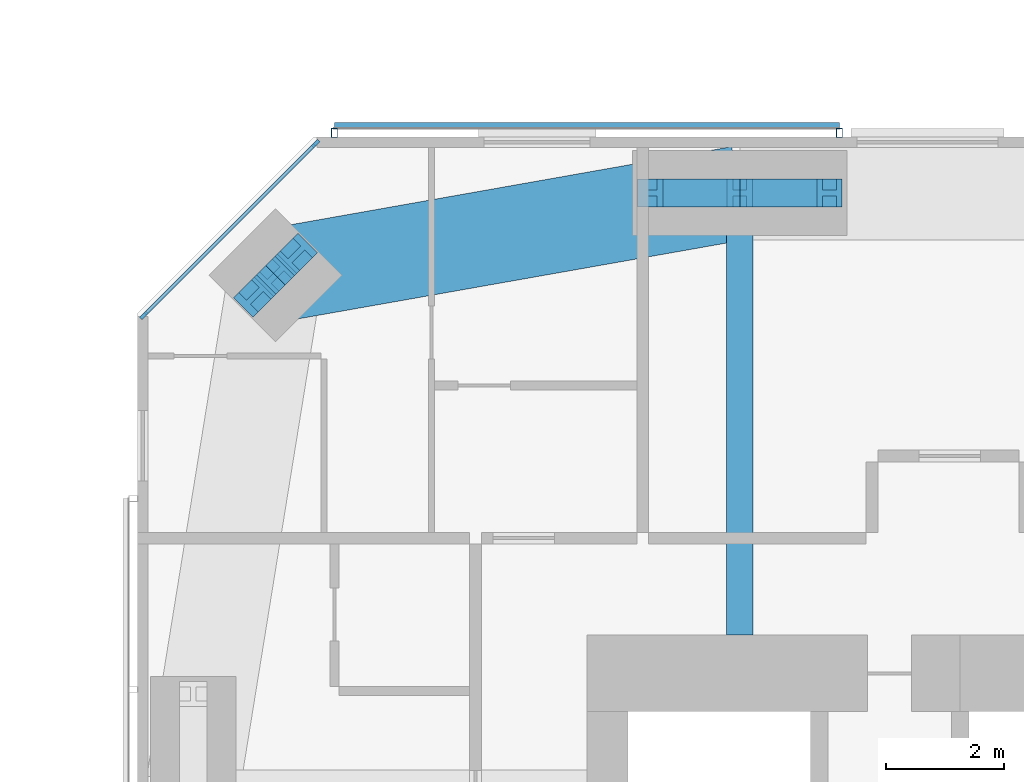
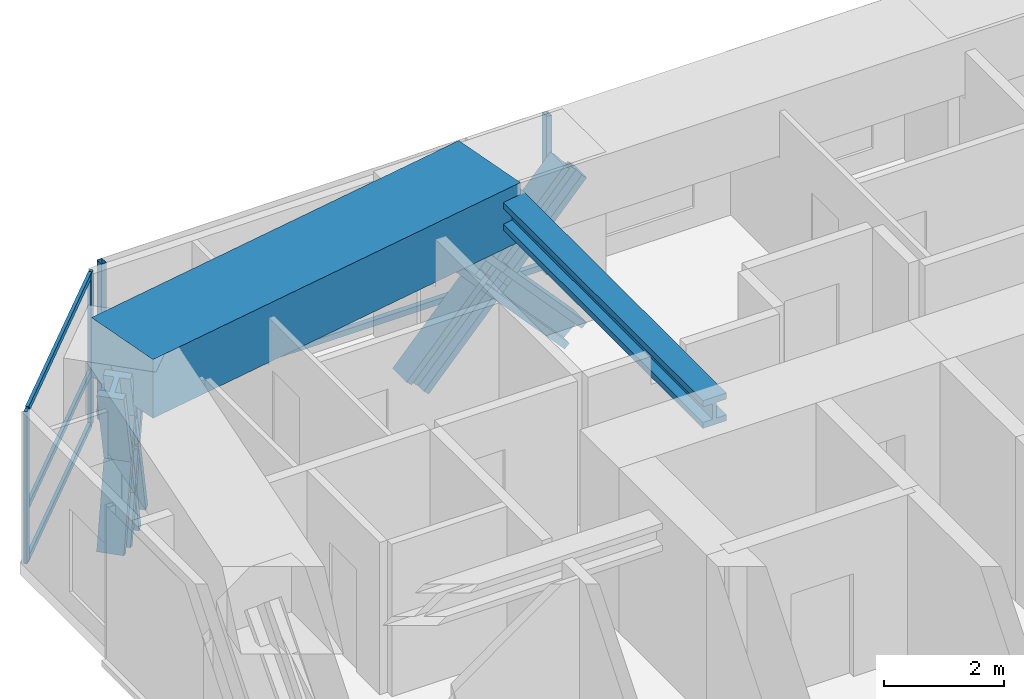
# One storey, part 11 of 23: 16 members, 2 beams, 2 elements without a shape of their own.
"""IFC4 building model written with IfcOpenShell, lengths in metres."""

import ifcopenshell
import ifcopenshell.guid

model = None  # the IFC model being written
_history = None  # IfcOwnerHistory: only IFC2X3 demands one
_inside = {}  # id of a spatial element -> (the spatial element, [elements in it])
_under = {}  # id of a project, library or spatial element -> (it, [spatial elements below it])
_declared = {}  # id of a project -> (the project, [libraries it declares])
_typed = {}  # id of a type object -> (the type object, [elements of that type])
_made_of = {}  # id of a material, layer set ... -> (it, [elements and type objects made of it])


def new_model(schema):
    """Start an empty IFC model of exactly this schema.

    Asked for "IFC4X3", IfcOpenShell would pick the latest addendum, in which some entities
    have other attributes; the version numbers below select the first issue.
    IFC2X3 requires an IfcOwnerHistory on every rooted entity: one is made here for all.
    """
    global model, _history
    if schema == "IFC4X3":
        model = ifcopenshell.file(schema_version=(4, 3, 0, 0))
    else:
        model = ifcopenshell.file(schema=schema)
    _inside.clear()
    _under.clear()
    _declared.clear()
    _typed.clear()
    _made_of.clear()
    _history = None
    if model.schema == "IFC2X3":
        org = make("IfcOrganization", Name="unknown")
        user = make(
            "IfcPersonAndOrganization",
            ThePerson=make("IfcPerson", FamilyName="unknown"),
            TheOrganization=org,
        )
        app = make(
            "IfcApplication",
            ApplicationDeveloper=org,
            Version="unknown",
            ApplicationFullName="unknown",
            ApplicationIdentifier="unknown",
        )
        _history = make(
            "IfcOwnerHistory",
            OwningUser=user,
            OwningApplication=app,
            ChangeAction="ADDED",
            CreationDate=0,
        )
    return model


def make(cls, **values):
    """One entity of the class cls with the attributes given. An attribute that is None is left unset."""
    return model.create_entity(
        cls, **{name: value for name, value in values.items() if value is not None}
    )


def rooted(cls, **values):
    """An entity with a GlobalId (a new one), such as an element, a storey or a relation."""
    return make(cls, GlobalId=ifcopenshell.guid.new(), OwnerHistory=_history, **values)


def si_unit(unit_type, name, prefix=None):
    """IfcSIUnit, for example si_unit("LENGTHUNIT", "METRE", prefix="MILLI")."""
    return make("IfcSIUnit", UnitType=unit_type, Prefix=prefix, Name=name)


def assignment(units):
    """IfcUnitAssignment: the units of a project."""
    return None if units is None else make("IfcUnitAssignment", Units=units)


def point(xyz):
    """IfcCartesianPoint."""
    return None if xyz is None else make("IfcCartesianPoint", Coordinates=xyz)


def direction(xyz):
    """IfcDirection."""
    return None if xyz is None else make("IfcDirection", DirectionRatios=xyz)


def frame(location, z_axis=None, x_axis=None):
    """IfcAxis2Placement3D, a coordinate frame: its origin and axes. An axis left out is left unset."""
    return make(
        "IfcAxis2Placement3D",
        Location=point(location),
        Axis=direction(z_axis),
        RefDirection=direction(x_axis),
    )


def frame_2d(location, x_axis=None):
    """IfcAxis2Placement2D, a coordinate frame in the plane: its origin and x axis."""
    return make(
        "IfcAxis2Placement2D", Location=point(location), RefDirection=direction(x_axis)
    )


def origin():
    """The frame at (0, 0, 0) with its axes left unset."""
    return frame((0.0, 0.0, 0.0))


def origin_2d():
    """The frame at (0, 0) in the plane with its x axis left unset."""
    return frame_2d((0.0, 0.0))


def place(relative_to, where):
    """IfcLocalPlacement: puts the frame where relative to a parent placement (None: the world)."""
    return make(
        "IfcLocalPlacement", PlacementRelTo=relative_to, RelativePlacement=where
    )


def context(
    kind, dimensions, precision=None, world=None, true_north=None, identifier=None
):
    """IfcGeometricRepresentationContext, for example the 3D "Model" context."""
    return make(
        "IfcGeometricRepresentationContext",
        ContextIdentifier=identifier,
        ContextType=kind,
        CoordinateSpaceDimension=dimensions,
        Precision=precision,
        WorldCoordinateSystem=world,
        TrueNorth=true_north,
    )


def subcontext(parent, identifier, kind, view, scale=None):
    """IfcGeometricRepresentationSubContext, for example "Body" below "Model"."""
    return make(
        "IfcGeometricRepresentationSubContext",
        ContextIdentifier=identifier,
        ContextType=kind,
        ParentContext=parent,
        TargetScale=scale,
        TargetView=view,
    )


def project(units=None, contexts=None):
    """IfcProject with its units and contexts."""
    return rooted(
        "IfcProject",
        Name="project",
        RepresentationContexts=contexts,
        UnitsInContext=assignment(units),
    )


def spatial(cls, under=None, at=None, **own):
    """A site, building, storey or space (cls), placed at a placement, below another one or the project."""
    s = rooted(cls, ObjectPlacement=at, **own)
    if under is not None:
        _under.setdefault(under.id(), (under, []))[1].append(s)
    return s


def profile(cls, at=None, kind="AREA", **sizes):
    """A parametric profile (cls). Its sizes go by their IFC names, for example OverallWidth=200.0."""
    return make(cls, ProfileType=kind, Position=at, **sizes)


def rectangle(**sizes):
    """IfcRectangleProfileDef."""
    return profile("IfcRectangleProfileDef", **sizes)


def hollow_rectangle(**sizes):
    """IfcRectangleHollowProfileDef."""
    return profile("IfcRectangleHollowProfileDef", **sizes)


def i_section(**sizes):
    """IfcIShapeProfileDef."""
    return profile("IfcIShapeProfileDef", **sizes)


def extrude(swept, where, along, depth):
    """IfcExtrudedAreaSolid: the profile swept, set in the frame where, extruded along a direction by depth."""
    return make(
        "IfcExtrudedAreaSolid",
        SweptArea=swept,
        Position=where,
        ExtrudedDirection=direction(along),
        Depth=depth,
    )


def shape(context_of_items, identifier, shape_type, items):
    """IfcShapeRepresentation: the items that make up one representation, for example the "Body"."""
    return make(
        "IfcShapeRepresentation",
        ContextOfItems=context_of_items,
        RepresentationIdentifier=identifier,
        RepresentationType=shape_type,
        Items=items,
    )


def material(Name=None, Category=None):
    """IfcMaterial."""
    return make("IfcMaterial", Name=Name, Category=Category)


def material_profile(
    of_material, cross_section, Name=None, Category=None, Priority=None
):
    """IfcMaterialProfile: a cross section and its material."""
    return make(
        "IfcMaterialProfile",
        Name=Name,
        Material=of_material,
        Profile=cross_section,
        Priority=Priority,
        Category=Category,
    )


def profile_set(profiles, Name=None, composite=None):
    """IfcMaterialProfileSet."""
    return make(
        "IfcMaterialProfileSet",
        Name=Name,
        MaterialProfiles=profiles,
        CompositeProfile=composite,
    )


def made_of(thing, what):
    """Note that an element or type object is made of a material, layer set ...; save() writes the relation."""
    if what is not None:
        _made_of.setdefault(what.id(), (what, []))[1].append(thing)
    return thing


def type_object(cls, material=None, **own):
    """A type object (cls), such as IfcWallType, which elements share."""
    return made_of(rooted(cls, **own), material)


def element(
    cls,
    number,
    at=None,
    inside=None,
    cuts=None,
    type_object=None,
    material=None,
    context=None,
    identifier="Body",
    shape_type=None,
    held_by="IfcProductDefinitionShape",
    body=None,
    shapes=None,
    **own,
):
    """One element of the class cls, such as IfcWall. Its Tag is "e" and its number.

    at: its placement. inside: the storey or other place that contains it. cuts: it is an
    opening in that element (IfcRelVoidsElement). A single representation is given by context,
    identifier, shape_type and body (its items); several are given by shapes. held_by: the class
    of the entity that holds the representations. save() writes the other relations.
    """
    e = rooted(cls, Tag="e%d" % number, ObjectPlacement=at, **own)
    if body is not None:
        shapes = [shape(context, identifier, shape_type, body)]
    if shapes is not None:
        e.Representation = make(held_by, Representations=shapes)
    if inside is not None:
        _inside.setdefault(inside.id(), (inside, []))[1].append(e)
    if cuts is not None:
        rooted(
            "IfcRelVoidsElement", RelatingBuildingElement=cuts, RelatedOpeningElement=e
        )
    if type_object is not None:
        _typed.setdefault(type_object.id(), (type_object, []))[1].append(e)
    return made_of(e, material)


def aggregate(whole, parts):
    """IfcRelAggregates: a whole, such as a stair, and the parts it consists of."""
    return rooted("IfcRelAggregates", RelatingObject=whole, RelatedObjects=parts)


def save(model, path):
    """Write the relations noted so far, then the file.

    IfcRelAggregates (storeys below a building ...), IfcRelContainedInSpatialStructure (elements
    in a storey), IfcRelDefinesByType, IfcRelAssociatesMaterial and IfcRelDeclares: one each for
    every whole, place, type object, material and project.
    """
    for whole, parts in _under.values():
        aggregate(whole, parts)
    for where, things in _inside.values():
        rooted(
            "IfcRelContainedInSpatialStructure",
            RelatedElements=things,
            RelatingStructure=where,
        )
    for kind, things in _typed.values():
        rooted("IfcRelDefinesByType", RelatedObjects=things, RelatingType=kind)
    for what, things in _made_of.values():
        rooted("IfcRelAssociatesMaterial", RelatedObjects=things, RelatingMaterial=what)
    for by, libraries in _declared.values():
        rooted("IfcRelDeclares", RelatingContext=by, RelatedDefinitions=libraries)
    model.write(path)


model = new_model("IFC4")

# Units and contexts
model_context = context("Model", 3, precision=1e-05, world=origin(), true_north=direction((0.0, 1.0)))
body_context = subcontext(model_context, "Body", "Model", "MODEL_VIEW")
ifc_project = project(units=[si_unit("LENGTHUNIT", "METRE"), si_unit("AREAUNIT", "SQUARE_METRE"), si_unit("VOLUMEUNIT", "CUBIC_METRE"), si_unit("PLANEANGLEUNIT", "RADIAN"), si_unit("MASSUNIT", "GRAM", prefix="KILO")], contexts=[model_context])

# Site, building, storey
site_placement = place(None, origin())
site = spatial("IfcSite", under=ifc_project, at=site_placement, CompositionType="ELEMENT")
building_placement = place(site_placement, origin())
building = spatial("IfcBuilding", under=site, at=building_placement, Name="Jalousie Tower", CompositionType="ELEMENT")
storey_placement = place(building_placement, frame((0.0, 0.0, 191.199951171875)))
storey = spatial("IfcBuildingStorey", under=building, at=storey_placement, Name="L52", CompositionType="ELEMENT", Elevation=191.199951171875)

# Curtain wall, members
ifc_material_1 = material(Name="Aluminium curtain wall", Category="aluminium")
curtain_wall_type_1 = type_object("IfcCurtainWallType", Name="CORNER WINDOW WALL", PredefinedType="USERDEFINED", material=ifc_material_1)
curtain_wall_1_placement = place(storey_placement, origin())
curtain_wall_1 = element("IfcCurtainWall", 1, at=curtain_wall_1_placement, inside=storey, type_object=curtain_wall_type_1, Name="Corner Window Wall L52 6", ObjectType="CORNER WINDOW WALL", PredefinedType="USERDEFINED")
ifc_material_2 = material(Name="Aluminium mullion", Category="aluminium")
ifc_material_profile_1 = material_profile(ifc_material_2, rectangle(XDim=0.06005859375, YDim=0.14990234375, at=origin_2d()), Name="MULLION 60x150")
ifc_profile_set_1 = profile_set([ifc_material_profile_1], Name="Aluminium mullion")
member_type_1 = type_object("IfcMemberType", Name="CORNER WINDOW WALL MULLION", PredefinedType="MULLION", material=ifc_profile_set_1)
member_1_placement = place(storey_placement, frame((15.030029296875, 35.891357421875, 0.0), z_axis=(0.0, 0.0, 1.0), x_axis=(0.707106781187, -0.707106781187, 0.0)))
member_1 = element("IfcMember", 2, at=member_1_placement, type_object=member_type_1, Name="CW-C mullion 1", PredefinedType="MULLION", context=body_context, shape_type="SweptSolid", body=[
    extrude(rectangle(XDim=0.06005859375, YDim=0.14990234375, at=origin_2d()), origin(), (0.0, 0.0, 1.0), 3.110107421875),
])
member_2_placement = place(storey_placement, frame((12.108642578125, 32.969970703125, 0.0), z_axis=(0.0, 0.0, 1.0), x_axis=(0.707106781187, -0.707106781187, 0.0)))
member_2 = element("IfcMember", 3, at=member_2_placement, type_object=member_type_1, Name="CW-C mullion 2", PredefinedType="MULLION", context=body_context, shape_type="SweptSolid", body=[
    extrude(rectangle(XDim=0.06005859375, YDim=0.14990234375, at=origin_2d()), origin(), (0.0, 0.0, 1.0), 3.110107421875),
])
ifc_material_3 = material(Name="Aluminium transom", Category="aluminium")
ifc_material_profile_2 = material_profile(ifc_material_3, rectangle(XDim=0.06005859375, YDim=0.1201171875, at=origin_2d()), Name="TRANSOM 60x120")
ifc_profile_set_2 = profile_set([ifc_material_profile_2], Name="Aluminium transom")
member_type_2 = type_object("IfcMemberType", Name="CORNER WINDOW WALL TRANSOM", PredefinedType="USERDEFINED", material=ifc_profile_set_2)
member_3_placement = place(storey_placement, frame((15.0087890625, 35.8701171875, 0.030029296875), z_axis=(-0.707106781187, -0.707106781187, 0.0), x_axis=(0.707106781187, -0.707106781187, 0.0)))
member_3 = element("IfcMember", 4, at=member_3_placement, type_object=member_type_2, Name="CW-C transom 1.1", ObjectType="TRANSOM", PredefinedType="USERDEFINED", context=body_context, shape_type="SweptSolid", body=[
    extrude(rectangle(XDim=0.06005859375, YDim=0.1201171875, at=origin_2d()), origin(), (0.0, 0.0, 1.0), 4.0712890625),
])
member_4_placement = place(storey_placement, frame((15.0087890625, 35.8701171875, 1.10009765625), z_axis=(-0.707106781187, -0.707106781187, 0.0), x_axis=(0.707106781187, -0.707106781187, 0.0)))
member_4 = element("IfcMember", 5, at=member_4_placement, type_object=member_type_2, Name="CW-C transom 1.2", ObjectType="TRANSOM", PredefinedType="USERDEFINED", context=body_context, shape_type="SweptSolid", body=[
    extrude(rectangle(XDim=0.06005859375, YDim=0.1201171875, at=origin_2d()), origin(), (0.0, 0.0, 1.0), 4.0712890625),
])
member_5_placement = place(storey_placement, frame((15.0087890625, 35.8701171875, 3.080078125), z_axis=(-0.707106781187, -0.707106781187, 0.0), x_axis=(0.707106781187, -0.707106781187, 0.0)))
member_5 = element("IfcMember", 6, at=member_5_placement, type_object=member_type_2, Name="CW-C transom 1.3", ObjectType="TRANSOM", PredefinedType="USERDEFINED", context=body_context, shape_type="SweptSolid", body=[
    extrude(rectangle(XDim=0.06005859375, YDim=0.1201171875, at=origin_2d()), origin(), (0.0, 0.0, 1.0), 4.0712890625),
])
aggregate(curtain_wall_1, [member_1, member_2, member_3, member_4, member_5])

# Beam
ifc_material_4 = material(Name="Steel ASTM A992 Grade 50", Category="steel")
ifc_material_profile_3 = material_profile(ifc_material_4, i_section(OverallWidth=0.45458984375, OverallDepth=0.569091796875, WebThickness=0.077880859375, FlangeThickness=0.124755859375, at=origin_2d()), Name="W14X730")
ifc_profile_set_3 = profile_set([ifc_material_profile_3], Name="Steel ASTM A992 Grade 50")
beam_type_1 = type_object("IfcBeamType", Name="LEAN COLLECTOR W14X730", PredefinedType="BEAM", material=ifc_profile_set_3)
beam_1_placement = place(storey_placement, frame((22.25, 35.050048828125, 2.825439453125), z_axis=(0.0, -1.0, 0.0), x_axis=(1.0, 0.0, 0.0)))
element("IfcBeam", 7, at=beam_1_placement, inside=storey, type_object=beam_type_1, Name="Lean collector under L53", PredefinedType="BEAM", context=body_context, shape_type="SweptSolid", body=[
    extrude(i_section(OverallWidth=0.45458984375, OverallDepth=0.569091796875, WebThickness=0.077880859375, FlangeThickness=0.124755859375, at=origin_2d()), origin(), (0.0, 0.0, 1.0), 7.525146484375),
])

# Members
ifc_material_5 = material(Name="Steel ASTM A992 Grade 50", Category="steel")
ifc_material_profile_4 = material_profile(ifc_material_5, i_section(OverallWidth=0.472412109375, OverallDepth=0.5791015625, WebThickness=0.094970703125, FlangeThickness=0.1298828125, at=origin_2d()), Name="W14X808")
ifc_profile_set_4 = profile_set([ifc_material_profile_4], Name="Steel ASTM A992 Grade 50")
member_type_3 = type_object("IfcMemberType", Name="PERIMETER BRACE W14X808", PredefinedType="BRACE", material=ifc_profile_set_4)
for number, where, z_axis, x_axis, name in (
    (8, (20.72509765625, 35.050048828125, -0.599853515625), (0.673241284601, 0.0, 0.739422864611), (0.0, 1.0, 0.0), "Perimeter brace 11 L52 part 1"),
    (9, (22.25, 35.050048828125, 1.074951171875), (0.673187629365, 0.0, 0.739471713908), (0.0, 1.0, 0.0), "Perimeter brace 11 L52 part 2"),
    (10, (23.77490234375, 35.050048828125, -0.599853515625), (-0.673241284601, 0.0, 0.739422864611), (0.0, -1.0, 0.0), "Perimeter brace 11 L52 part 3"),
    (11, (22.25, 35.050048828125, 1.074951171875), (-0.673187629365, 0.0, 0.739471713908), (0.0, -1.0, 0.0), "Perimeter brace 11 L52 part 4"),
):
    element("IfcMember", number, at=place(storey_placement, frame(where, z_axis=z_axis, x_axis=x_axis)), inside=storey, type_object=member_type_3, Name=name, PredefinedType="BRACE", context=body_context, shape_type="SweptSolid", body=[
        extrude(i_section(OverallWidth=0.472412109375, OverallDepth=0.5791015625, WebThickness=0.094970703125, FlangeThickness=0.1298828125, at=origin_2d()), origin(), (0.0, 0.0, 1.0), 2.26513671875),
    ])
member_6_placement = place(storey_placement, frame((14.7021484375, 34.0048828125, -0.599853515625), z_axis=(-0.202399156177, -0.202119792263, 0.958218227313), x_axis=(0.706618279267, -0.707594945859, 0.0)))
element("IfcMember", 12, at=member_6_placement, inside=storey, type_object=member_type_3, Name="Perimeter brace 12 L52 part 1", PredefinedType="BRACE", context=body_context, shape_type="SweptSolid", body=[
    extrude(i_section(OverallWidth=0.472412109375, OverallDepth=0.5791015625, WebThickness=0.094970703125, FlangeThickness=0.1298828125, at=origin_2d()), origin(), (0.0, 0.0, 1.0), 1.747802734375),
])
member_7_placement = place(storey_placement, frame((14.348388671875, 33.651611328125, 1.074951171875), z_axis=(-0.202092742837, -0.202372069365, 0.958229653493), x_axis=(0.707594945859, -0.706618279267, 0.0)))
element("IfcMember", 13, at=member_7_placement, inside=storey, type_object=member_type_3, Name="Perimeter brace 12 L52 part 2", PredefinedType="BRACE", context=body_context, shape_type="SweptSolid", body=[
    extrude(i_section(OverallWidth=0.472412109375, OverallDepth=0.5791015625, WebThickness=0.094970703125, FlangeThickness=0.1298828125, at=origin_2d()), origin(), (0.0, 0.0, 1.0), 1.748046875),
])
member_8_placement = place(storey_placement, frame((13.9951171875, 33.2978515625, -0.599853515625), z_axis=(0.202119792263, 0.202399156177, 0.958218227313), x_axis=(-0.707594945859, 0.706618279267, 0.0)))
element("IfcMember", 14, at=member_8_placement, inside=storey, type_object=member_type_3, Name="Perimeter brace 12 L52 part 3", PredefinedType="BRACE", context=body_context, shape_type="SweptSolid", body=[
    extrude(i_section(OverallWidth=0.472412109375, OverallDepth=0.5791015625, WebThickness=0.094970703125, FlangeThickness=0.1298828125, at=origin_2d()), origin(), (0.0, 0.0, 1.0), 1.747802734375),
])
member_9_placement = place(storey_placement, frame((14.348388671875, 33.651611328125, 1.074951171875), z_axis=(0.202372069365, 0.202092742837, 0.958229653493), x_axis=(-0.706618279267, 0.707594945859, 0.0)))
element("IfcMember", 15, at=member_9_placement, inside=storey, type_object=member_type_3, Name="Perimeter brace 12 L52 part 4", PredefinedType="BRACE", context=body_context, shape_type="SweptSolid", body=[
    extrude(i_section(OverallWidth=0.472412109375, OverallDepth=0.5791015625, WebThickness=0.094970703125, FlangeThickness=0.1298828125, at=origin_2d()), origin(), (0.0, 0.0, 1.0), 1.748046875),
])

# Beam
ifc_material_6 = material(Name="Concrete f'c 40 MPa", Category="concrete")
ifc_material_profile_5 = material_profile(ifc_material_6, rectangle(XDim=1.60009765625, YDim=1.199951171875, at=origin_2d()), Name="RC 1600x1200")
ifc_profile_set_5 = profile_set([ifc_material_profile_5], Name="Concrete f'c 40 MPa")
beam_type_2 = type_object("IfcBeamType", Name="RC BEAM 1600x1200", PredefinedType="BEAM", material=ifc_profile_set_5)
beam_2_placement = place(storey_placement, frame((22.25, 35.050048828125, 2.75), z_axis=(-0.984697370688, -0.174273027632, 0.0), x_axis=(0.174273027632, -0.984697370688, 0.0)))
element("IfcBeam", 16, at=beam_2_placement, inside=storey, type_object=beam_type_2, Name="Edge band beam 11-12 under L53", PredefinedType="BEAM", context=body_context, shape_type="SweptSolid", body=[
    extrude(rectangle(XDim=1.60009765625, YDim=1.199951171875, at=origin_2d()), origin(), (0.0, 0.0, 1.0), 8.0244140625),
])

# Curtain wall, members
ifc_material_7 = material(Name="Perforated aluminium sheet", Category="aluminium")
curtain_wall_type_2 = type_object("IfcCurtainWallType", Name="SOLAR SCREEN SS-1", PredefinedType="USERDEFINED", material=ifc_material_7)
curtain_wall_2_placement = place(storey_placement, origin())
curtain_wall_2 = element("IfcCurtainWall", 17, at=curtain_wall_2_placement, inside=storey, type_object=curtain_wall_type_2, Name="Solar screen L52", ObjectType="SOLAR SCREEN SS-1", PredefinedType="USERDEFINED")
ifc_material_8 = material(Name="Steel ASTM A500 Grade C", Category="steel")
ifc_material_profile_6 = material_profile(ifc_material_8, hollow_rectangle(XDim=0.1015625, YDim=0.15234375, WallThickness=0.00634765625, at=origin_2d()), Name="HSS6X4X1/4")
ifc_profile_set_6 = profile_set([ifc_material_profile_6], Name="Steel ASTM A500 Grade C")
member_type_4 = type_object("IfcMemberType", Name="SOLAR SCREEN SS-1 MULLION", PredefinedType="MULLION", material=ifc_profile_set_6)
member_10_placement = place(storey_placement, frame((23.945068359375, 36.0712890625, -0.119873046875), z_axis=(0.0, 0.0, 1.0), x_axis=(-1.0, 0.0, 0.0)))
member_10 = element("IfcMember", 18, at=member_10_placement, type_object=member_type_4, Name="SS1 post 1", PredefinedType="MULLION", context=body_context, shape_type="SweptSolid", body=[
    extrude(hollow_rectangle(XDim=0.1015625, YDim=0.15234375, WallThickness=0.00634765625, at=origin_2d()), origin(), (0.0, 0.0, 1.0), 3.22998046875),
])
member_11_placement = place(storey_placement, frame((15.351318359375, 36.0712890625, -0.119873046875), z_axis=(0.0, 0.0, 1.0), x_axis=(-1.0, 0.0, 0.0)))
member_11 = element("IfcMember", 19, at=member_11_placement, type_object=member_type_4, Name="SS1 post 2", PredefinedType="MULLION", context=body_context, shape_type="SweptSolid", body=[
    extrude(hollow_rectangle(XDim=0.1015625, YDim=0.15234375, WallThickness=0.00634765625, at=origin_2d()), origin(), (0.0, 0.0, 1.0), 3.22998046875),
])
ifc_material_9 = material(Name="Extruded aluminium screen rail", Category="aluminium")
ifc_material_profile_7 = material_profile(ifc_material_9, rectangle(XDim=0.1015625, YDim=0.1201171875, at=origin_2d()), Name="RAIL 102x120")
ifc_profile_set_7 = profile_set([ifc_material_profile_7], Name="Extruded aluminium screen rail")
member_type_5 = type_object("IfcMemberType", Name="SOLAR SCREEN SS-1 TRANSOM", PredefinedType="USERDEFINED", material=ifc_profile_set_7)
member_12_placement = place(storey_placement, frame((23.945068359375, 36.1982421875, -0.06005859375), z_axis=(-1.0, 0.0, 0.0), x_axis=(0.0, -1.0, 0.0)))
member_12 = element("IfcMember", 20, at=member_12_placement, type_object=member_type_5, Name="SS1 rail", ObjectType="TRANSOM", PredefinedType="USERDEFINED", context=body_context, shape_type="SweptSolid", body=[
    extrude(rectangle(XDim=0.1015625, YDim=0.1201171875, at=origin_2d()), origin(), (0.0, 0.0, 1.0), 8.59375),
])
aggregate(curtain_wall_2, [member_10, member_11, member_12])

save(model, "model.ifc")
